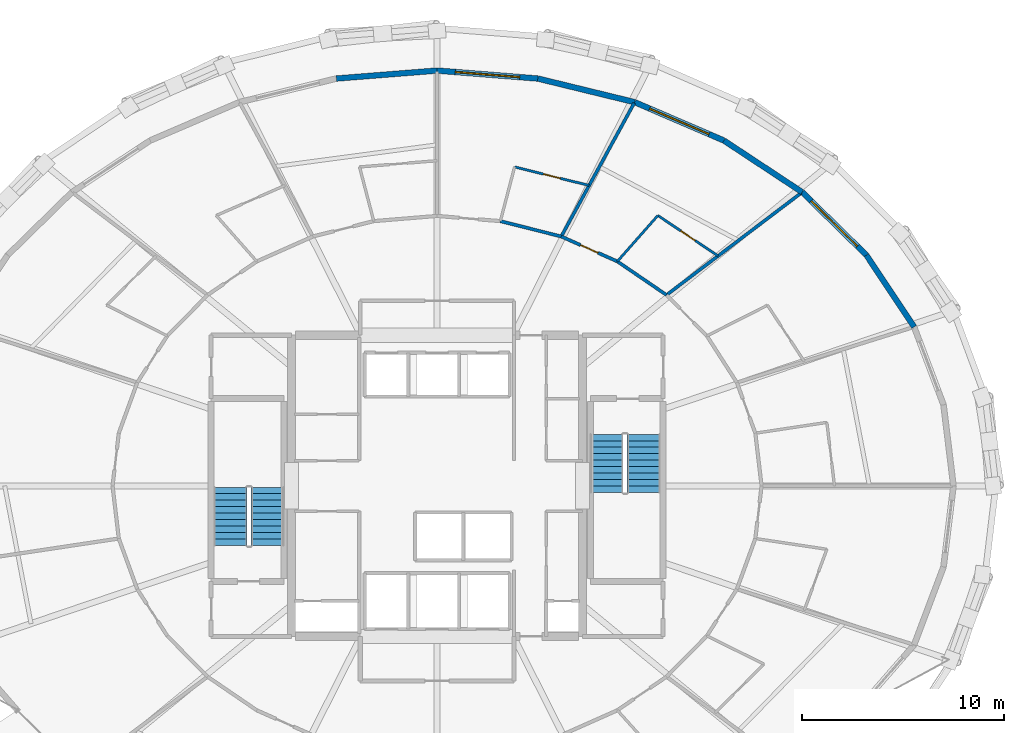
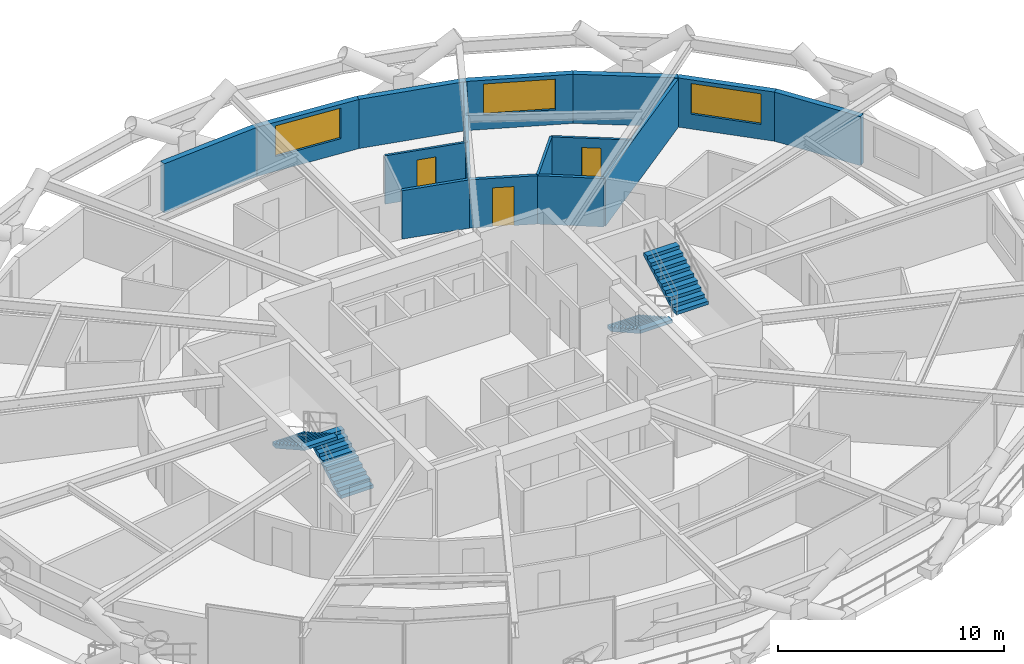
# One storey, part 15 of 17: 15 walls, 4 stair flights, 3 doors, 3 windows, 6 openings, 2 elements without a shape of their own.
"""IFC4 building model written with IfcOpenShell, lengths in metres."""

from ifc_helpers import new_model, si_unit, direction, frame, frame_2d, origin, place, context, subcontext, project, spatial, polyline, rectangle, outline, extrude, material, layer, layer_set, type_object, element, fill, aggregate, save


model = new_model("IFC4")

# Units and contexts
model_context = context("Model", 3, precision=1e-05, world=origin(), true_north=direction((0.0, 1.0)))
body_context = subcontext(model_context, "Body", "Model", "MODEL_VIEW")
ifc_project = project(units=[si_unit("LENGTHUNIT", "METRE"), si_unit("AREAUNIT", "SQUARE_METRE"), si_unit("VOLUMEUNIT", "CUBIC_METRE"), si_unit("PLANEANGLEUNIT", "RADIAN"), si_unit("MASSUNIT", "GRAM", prefix="KILO")], contexts=[model_context])

# Site, building, storey
site_placement = place(None, origin())
site = spatial("IfcSite", under=ifc_project, at=site_placement, CompositionType="ELEMENT")
building_placement = place(site_placement, origin())
building = spatial("IfcBuilding", under=site, at=building_placement, Name="Veldorina Hangang Commons", CompositionType="ELEMENT")
storey_placement = place(building_placement, frame((0.0, 0.0, 30.39990234375)))
storey = spatial("IfcBuildingStorey", under=building, at=storey_placement, Name="L06", CompositionType="ELEMENT", Elevation=30.39990234375)

# Wall
ifc_material_1 = material(Name="Stone Roman Travertine", Category="masonry")
ifc_layer_1 = layer(ifc_material_1, 0.280029296875)
ifc_layer_set_1 = layer_set([ifc_layer_1], Name="Stone Roman Travertine")
wall_type_1 = type_object("IfcWallType", Name="EW-TRAV-280", PredefinedType="STANDARD", material=ifc_layer_set_1)
wall_1_placement = place(storey_placement, frame((55.595947265625, 31.8603515625, 0.0), z_axis=(0.0, 0.0, 1.0), x_axis=(-0.55356334222, 0.832807076189, 0.0)))
element("IfcWall", 1, at=wall_1_placement, inside=storey, type_object=wall_type_1, Name="L06 travertine facade wall 02", PredefinedType="STANDARD", context=body_context, shape_type="SweptSolid", body=[
    extrude(rectangle(XDim=4.263916015625, YDim=0.280029296875, at=frame_2d((2.1318359375, 0.0))), origin(), (0.0, 0.0, 1.0), 2.650146484375),
])

# Wall, opening, window
wall_2_placement = place(storey_placement, frame((53.235595703125, 35.411376953125, 0.0), z_axis=(0.0, 0.0, 1.0), x_axis=(-0.714207899037, 0.699933623248, 0.0)))
wall_2 = element("IfcWall", 2, at=wall_2_placement, inside=storey, type_object=wall_type_1, Name="L06 travertine facade wall 03", PredefinedType="STANDARD", context=body_context, shape_type="SweptSolid", body=[
    extrude(rectangle(XDim=4.447021484375, YDim=0.280029296875, at=frame_2d((2.2236328125, 0.0))), origin(), (0.0, 0.0, 1.0), 2.650146484375),
])
opening_1_placement = place(wall_2_placement, frame((0.62353515625, 0.0, 0.800048828125)))
opening_1 = element("IfcOpeningElement", 3, at=opening_1_placement, cuts=wall_2, Name="Opening W-01", PredefinedType="OPENING", context=body_context, shape_type="SweptSolid", body=[
    extrude(rectangle(XDim=3.199951171875, YDim=1.64990234375, at=frame_2d((1.60009765625, 0.824951171875))), frame((0.0, 0.14990234375, 0.0), z_axis=(0.0, -1.0, 0.0), x_axis=(1.0, 0.0, 0.0)), (0.0, 0.0, 1.0), 0.300048828125),
])
ifc_material_2 = material(Name="Glass Low-E Triple IGU", Category="glass")
window_type = type_object("IfcWindowType", Name="WIN-TWR-3200", PartitioningType="SINGLE_PANEL", PredefinedType="WINDOW", material=ifc_material_2)
window_1_placement = place(opening_1_placement, origin())
window_1 = element("IfcWindow", 4, at=window_1_placement, inside=storey, type_object=window_type, Name="L06 facade window 03", OverallHeight=1.64990234375, OverallWidth=3.199951171875, PartitioningType="SINGLE_PANEL", PredefinedType="WINDOW", context=body_context, shape_type="SweptSolid", body=[
    extrude(rectangle(XDim=3.199951171875, YDim=1.64990234375, at=frame_2d((1.60009765625, 0.824951171875))), frame((0.0, 0.030029296875, 0.0), z_axis=(0.0, -1.0, 0.0), x_axis=(1.0, 0.0, 0.0)), (0.0, 0.0, 1.0), 0.06005859375),
])
fill(opening_1, window_1)

# Wall
wall_3_placement = place(storey_placement, frame((50.0595703125, 38.52392578125, 0.0), z_axis=(0.0, 0.0, 1.0), x_axis=(-0.834608922487, 0.550842941776, 0.0)))
element("IfcWall", 5, at=wall_3_placement, inside=storey, type_object=wall_type_1, Name="L06 travertine facade wall 04", PredefinedType="STANDARD", context=body_context, shape_type="SweptSolid", body=[
    extrude(rectangle(XDim=4.637451171875, YDim=0.280029296875, at=frame_2d((2.31884765625, 0.0))), origin(), (0.0, 0.0, 1.0), 2.650146484375),
])

# Wall, opening, window
wall_4_placement = place(storey_placement, frame((46.189208984375, 41.078369140625, 0.0), z_axis=(0.0, 0.0, 1.0), x_axis=(-0.918705683067, 0.394942866629, 0.0)))
wall_4 = element("IfcWall", 6, at=wall_4_placement, inside=storey, type_object=wall_type_1, Name="L06 travertine facade wall 05", PredefinedType="STANDARD", context=body_context, shape_type="SweptSolid", body=[
    extrude(rectangle(XDim=4.80615234375, YDim=0.280029296875, at=frame_2d((2.403076171875, 0.0))), origin(), (0.0, 0.0, 1.0), 2.650146484375),
])
opening_2_placement = place(wall_4_placement, frame((0.802978515625, 0.0, 0.800048828125)))
opening_2 = element("IfcOpeningElement", 7, at=opening_2_placement, cuts=wall_4, Name="Opening W-01", PredefinedType="OPENING", context=body_context, shape_type="SweptSolid", body=[
    extrude(rectangle(XDim=3.199951171875, YDim=1.64990234375, at=frame_2d((1.60009765625, 0.824951171875))), frame((0.0, 0.14990234375, 0.0), z_axis=(0.0, -1.0, 0.0), x_axis=(1.0, 0.0, 0.0)), (0.0, 0.0, 1.0), 0.300048828125),
])
window_2_placement = place(opening_2_placement, origin())
window_2 = element("IfcWindow", 8, at=window_2_placement, inside=storey, type_object=window_type, Name="L06 facade window 05", OverallHeight=1.64990234375, OverallWidth=3.199951171875, PartitioningType="SINGLE_PANEL", PredefinedType="WINDOW", context=body_context, shape_type="SweptSolid", body=[
    extrude(rectangle(XDim=3.199951171875, YDim=1.64990234375, at=frame_2d((1.60009765625, 0.824951171875))), frame((0.0, 0.030029296875, 0.0), z_axis=(0.0, -1.0, 0.0), x_axis=(1.0, 0.0, 0.0)), (0.0, 0.0, 1.0), 0.06005859375),
])
fill(opening_2, window_2)

# Wall
wall_5_placement = place(storey_placement, frame((41.773681640625, 42.9765625, 0.0), z_axis=(0.0, 0.0, 1.0), x_axis=(-0.97151283312, 0.236986951292, 0.0)))
element("IfcWall", 9, at=wall_5_placement, inside=storey, type_object=wall_type_1, Name="L06 travertine facade wall 06", PredefinedType="STANDARD", context=body_context, shape_type="SweptSolid", body=[
    extrude(rectangle(XDim=4.931396484375, YDim=0.280029296875, at=frame_2d((2.4658203125, 0.0))), origin(), (0.0, 0.0, 1.0), 2.650146484375),
])

# Wall, opening, window
wall_6_placement = place(storey_placement, frame((36.982666015625, 44.145263671875, 0.0), z_axis=(0.0, 0.0, 1.0), x_axis=(-0.996876023292, 0.078982239682, 0.0)))
wall_6 = element("IfcWall", 10, at=wall_6_placement, inside=storey, type_object=wall_type_1, Name="L06 travertine facade wall 07", PredefinedType="STANDARD", context=body_context, shape_type="SweptSolid", body=[
    extrude(rectangle(XDim=4.998291015625, YDim=0.280029296875, at=frame_2d((2.4990234375, 0.0))), origin(), (0.0, 0.0, 1.0), 2.650146484375),
])
opening_3_placement = place(wall_6_placement, frame((0.899169921875, 0.0, 0.800048828125)))
opening_3 = element("IfcOpeningElement", 11, at=opening_3_placement, cuts=wall_6, Name="Opening W-01", PredefinedType="OPENING", context=body_context, shape_type="SweptSolid", body=[
    extrude(rectangle(XDim=3.199951171875, YDim=1.64990234375, at=frame_2d((1.60009765625, 0.824951171875))), frame((0.0, 0.14990234375, 0.0), z_axis=(0.0, -1.0, 0.0), x_axis=(1.0, 0.0, 0.0)), (0.0, 0.0, 1.0), 0.300048828125),
])
window_3_placement = place(opening_3_placement, origin())
window_3 = element("IfcWindow", 12, at=window_3_placement, inside=storey, type_object=window_type, Name="L06 facade window 07", OverallHeight=1.64990234375, OverallWidth=3.199951171875, PartitioningType="SINGLE_PANEL", PredefinedType="WINDOW", context=body_context, shape_type="SweptSolid", body=[
    extrude(rectangle(XDim=3.199951171875, YDim=1.64990234375, at=frame_2d((1.60009765625, 0.824951171875))), frame((0.0, 0.030029296875, 0.0), z_axis=(0.0, -1.0, 0.0), x_axis=(1.0, 0.0, 0.0)), (0.0, 0.0, 1.0), 0.06005859375),
])
fill(opening_3, window_3)

# Walls
wall_7_placement = place(storey_placement, frame((32.0, 44.5400390625, 0.0), z_axis=(0.0, 0.0, 1.0), x_axis=(-0.996876023292, -0.078982239682, 0.0)))
element("IfcWall", 13, at=wall_7_placement, inside=storey, type_object=wall_type_1, Name="L06 travertine facade wall 08", PredefinedType="STANDARD", context=body_context, shape_type="SweptSolid", body=[
    extrude(rectangle(XDim=4.998291015625, YDim=0.280029296875, at=frame_2d((2.4990234375, 0.0))), origin(), (0.0, 0.0, 1.0), 2.650146484375),
])
ifc_material_3 = material(Name="Gypsum Fire-Rated Twin Stud Wall", Category="gypsum")
ifc_layer_2 = layer(ifc_material_3, 0.159912109375)
ifc_layer_set_2 = layer_set([ifc_layer_2], Name="Gypsum Fire-Rated Twin Stud Wall")
wall_type_2 = type_object("IfcWallType", Name="WL-FIRE-160", PredefinedType="SOLIDWALL", material=ifc_layer_set_2)
wall_8_placement = place(storey_placement, frame((43.34912109375, 33.43994140625, 0.0), z_axis=(0.0, 0.0, 1.0), x_axis=(-0.825929039072, 0.563774088104, 0.0)))
element("IfcWall", 14, at=wall_8_placement, inside=storey, type_object=wall_type_2, Name="L06 Corridor outer wall 04 051", PredefinedType="SOLIDWALL", context=body_context, shape_type="SweptSolid", body=[
    extrude(rectangle(XDim=2.94482421875, YDim=0.159912109375, at=frame_2d((1.472412109375, 0.0))), origin(), (0.0, 0.0, 1.0), 2.610107421875),
])

# Wall, opening, door
wall_9_placement = place(storey_placement, frame((40.9169921875, 35.10009765625, 0.0), z_axis=(0.0, 0.0, 1.0), x_axis=(-0.913768445178, 0.406235434936, 0.0)))
wall_9 = element("IfcWall", 15, at=wall_9_placement, inside=storey, type_object=wall_type_2, Name="L06 Corridor outer wall 05 052", PredefinedType="SOLIDWALL", context=body_context, shape_type="SweptSolid", body=[
    extrude(rectangle(XDim=3.036865234375, YDim=0.159912109375, at=frame_2d((1.5185546875, 0.0))), origin(), (0.0, 0.0, 1.0), 2.610107421875),
])
opening_4_placement = place(wall_9_placement, frame((1.04345703125, 0.0, 0.0)))
opening_4 = element("IfcOpeningElement", 16, at=opening_4_placement, cuts=wall_9, Name="Opening D-03", PredefinedType="OPENING", context=body_context, shape_type="SweptSolid", body=[
    extrude(rectangle(XDim=0.949951171875, YDim=2.10009765625, at=frame_2d((0.47509765625, 1.050048828125))), frame((0.0, 0.08984375, 0.0), z_axis=(0.0, -1.0, 0.0), x_axis=(1.0, 0.0, 0.0)), (0.0, 0.0, 1.0), 0.179931640625),
])
ifc_material_4 = material(Name="Timber Fire-Rated Entrance Core", Category="wood")
door_type_1 = type_object("IfcDoorType", Name="DR-UNIT-950", OperationType="SINGLE_SWING_RIGHT", PredefinedType="DOOR", material=ifc_material_4)
door_1_placement = place(opening_4_placement, origin())
door_1 = element("IfcDoor", 17, at=door_1_placement, inside=storey, type_object=door_type_1, Name="L06 Studio 7 entrance door 034", OperationType="SINGLE_SWING_RIGHT", OverallHeight=2.10009765625, OverallWidth=0.949951171875, PredefinedType="DOOR", context=body_context, shape_type="SweptSolid", body=[
    extrude(rectangle(XDim=0.949951171875, YDim=2.10009765625, at=frame_2d((0.47509765625, 1.050048828125))), frame((0.0, 0.02490234375, 0.0), z_axis=(0.0, -1.0, 0.0), x_axis=(1.0, 0.0, 0.0)), (0.0, 0.0, 1.0), 0.050048828125),
])
fill(opening_4, door_1)

# Walls
wall_10_placement = place(storey_placement, frame((38.14208984375, 36.333740234375, 0.0), z_axis=(0.0, 0.0, 1.0), x_axis=(-0.969608333194, 0.244662380029, 0.0)))
element("IfcWall", 18, at=wall_10_placement, inside=storey, type_object=wall_type_2, Name="L06 Corridor outer wall 06 053", PredefinedType="SOLIDWALL", context=body_context, shape_type="SweptSolid", body=[
    extrude(rectangle(XDim=3.10546875, YDim=0.159912109375, at=frame_2d((1.552734375, 0.0))), origin(), (0.0, 0.0, 1.0), 2.610107421875),
])
wall_11_placement = place(storey_placement, frame((43.34912109375, 33.43994140625, 0.0), z_axis=(0.0, 0.0, 1.0), x_axis=(0.797056829768, 0.603904305433, 0.0)))
element("IfcWall", 19, at=wall_11_placement, inside=storey, type_object=wall_type_2, Name="L06 Unit party wall 04 099", PredefinedType="SOLIDWALL", context=body_context, shape_type="SweptSolid", body=[
    extrude(rectangle(XDim=8.368896484375, YDim=0.159912109375, at=frame_2d((4.1845703125, 0.0))), origin(), (0.0, 0.0, 1.0), 2.610107421875),
])
wall_12_placement = place(storey_placement, frame((38.14208984375, 36.333740234375, 0.0), z_axis=(0.0, 0.0, 1.0), x_axis=(0.479700277593, 0.877432415447, 0.0)))
element("IfcWall", 20, at=wall_12_placement, inside=storey, type_object=wall_type_2, Name="L06 Unit party wall 06 102", PredefinedType="SOLIDWALL", context=body_context, shape_type="SweptSolid", body=[
    extrude(rectangle(XDim=7.520751953125, YDim=0.159912109375, at=frame_2d((3.76025390625, 0.0))), origin(), (0.0, 0.0, 1.0), 2.610107421875),
])

# Wall, opening, door
ifc_material_5 = material(Name="Gypsum Acoustic Stud Partition", Category="gypsum")
ifc_layer_3 = layer(ifc_material_5, 0.1201171875)
ifc_layer_set_3 = layer_set([ifc_layer_3], Name="Gypsum Acoustic Stud Partition")
wall_type_3 = type_object("IfcWallType", Name="WL-PART-120", PredefinedType="PARTITIONING", material=ifc_layer_set_3)
wall_13_placement = place(storey_placement, frame((45.899169921875, 35.371826171875, 0.0), z_axis=(0.0, 0.0, 1.0), x_axis=(-0.830224279985, 0.557429497716, 0.0)))
wall_13 = element("IfcWall", 21, at=wall_13_placement, inside=storey, type_object=wall_type_3, Name="L06 Studio 7 bath front wall 100", PredefinedType="PARTITIONING", context=body_context, shape_type="SweptSolid", body=[
    extrude(rectangle(XDim=3.587890625, YDim=0.1201171875, at=frame_2d((1.7939453125, 0.0))), origin(), (0.0, 0.0, 1.0), 2.610107421875),
])
opening_5_placement = place(wall_13_placement, frame((1.364013671875, 0.0, 0.0)))
opening_5 = element("IfcOpeningElement", 22, at=opening_5_placement, cuts=wall_13, Name="Opening D-01", PredefinedType="OPENING", context=body_context, shape_type="SweptSolid", body=[
    extrude(rectangle(XDim=0.860107421875, YDim=2.10009765625, at=frame_2d((0.43017578125, 1.050048828125))), frame((0.0, 0.070068359375, 0.0), z_axis=(0.0, -1.0, 0.0), x_axis=(1.0, 0.0, 0.0)), (0.0, 0.0, 1.0), 0.14013671875),
])
ifc_material_6 = material(Name="Timber Moisture-Resistant Core", Category="wood")
door_type_2 = type_object("IfcDoorType", Name="DR-WET-860", OperationType="SINGLE_SWING_LEFT", PredefinedType="DOOR", material=ifc_material_6)
door_2_placement = place(opening_5_placement, origin())
door_2 = element("IfcDoor", 23, at=door_2_placement, inside=storey, type_object=door_type_2, Name="L06 Studio 7 bathroom door 033", OperationType="SINGLE_SWING_LEFT", OverallHeight=2.10009765625, OverallWidth=0.860107421875, PredefinedType="DOOR", context=body_context, shape_type="SweptSolid", body=[
    extrude(rectangle(XDim=0.860107421875, YDim=2.10009765625, at=frame_2d((0.43017578125, 1.050048828125))), frame((0.0, 0.02490234375, 0.0), z_axis=(0.0, -1.0, 0.0), x_axis=(1.0, 0.0, 0.0)), (0.0, 0.0, 1.0), 0.050048828125),
])
fill(opening_5, door_2)

# Wall
wall_14_placement = place(storey_placement, frame((40.9169921875, 35.10009765625, 0.0), z_axis=(0.0, 0.0, 1.0), x_axis=(0.661427007528, 0.750009542414, 0.0)))
element("IfcWall", 24, at=wall_14_placement, inside=storey, type_object=wall_type_3, Name="L06 Studio 7 bath side wall 101", PredefinedType="PARTITIONING", context=body_context, shape_type="SweptSolid", body=[
    extrude(rectangle(XDim=3.029052734375, YDim=0.1201171875, at=frame_2d((1.5146484375, 0.0))), origin(), (0.0, 0.0, 1.0), 2.610107421875),
])

# Wall, opening, door
wall_15_placement = place(storey_placement, frame((39.522216796875, 38.85791015625, 0.0), z_axis=(0.0, 0.0, 1.0), x_axis=(-0.970549351757, 0.240902378161, 0.0)))
wall_15 = element("IfcWall", 25, at=wall_15_placement, inside=storey, type_object=wall_type_3, Name="L06 Studio 8 bath front wall 103", PredefinedType="PARTITIONING", context=body_context, shape_type="SweptSolid", body=[
    extrude(rectangle(XDim=3.79931640625, YDim=0.1201171875, at=frame_2d((1.899658203125, 0.0))), origin(), (0.0, 0.0, 1.0), 2.610107421875),
])
opening_6_placement = place(wall_15_placement, frame((1.4697265625, 0.0, 0.0)))
opening_6 = element("IfcOpeningElement", 26, at=opening_6_placement, cuts=wall_15, Name="Opening D-01", PredefinedType="OPENING", context=body_context, shape_type="SweptSolid", body=[
    extrude(rectangle(XDim=0.860107421875, YDim=2.10009765625, at=frame_2d((0.43017578125, 1.050048828125))), frame((0.0, 0.070068359375, 0.0), z_axis=(0.0, -1.0, 0.0), x_axis=(1.0, 0.0, 0.0)), (0.0, 0.0, 1.0), 0.14013671875),
])
door_3_placement = place(opening_6_placement, origin())
door_3 = element("IfcDoor", 27, at=door_3_placement, inside=storey, type_object=door_type_2, Name="L06 Studio 8 bathroom door 035", OperationType="SINGLE_SWING_LEFT", OverallHeight=2.10009765625, OverallWidth=0.860107421875, PredefinedType="DOOR", context=body_context, shape_type="SweptSolid", body=[
    extrude(rectangle(XDim=0.860107421875, YDim=2.10009765625, at=frame_2d((0.43017578125, 1.050048828125))), frame((0.0, 0.02490234375, 0.0), z_axis=(0.0, -1.0, 0.0), x_axis=(1.0, 0.0, 0.0)), (0.0, 0.0, 1.0), 0.050048828125),
])
fill(opening_6, door_3)

# Stair, stair flights
ifc_material_7 = material(Name="Concrete C40/50", Category="concrete")
stair_type = type_object("IfcStairType", Name="STR-DOG-1650-20R", PredefinedType="HALF_TURN_STAIR", material=ifc_material_7)
stair_1_placement = place(storey_placement, origin())
stair_1 = element("IfcStair", 28, at=stair_1_placement, inside=storey, type_object=stair_type, Name="L06 Exit stair ST-1", PredefinedType="HALF_TURN_STAIR")
stair_flight_type = type_object("IfcStairFlightType", Name="SFL-STR-1650-20R", PredefinedType="STRAIGHT", material=ifc_material_7)
stair_flight_1_placement = place(storey_placement, frame((23.625, 21.050048828125, 0.0), z_axis=(0.0, 0.0, 1.0), x_axis=(0.0, 1.0, 0.0)))
stair_flight_1 = element("IfcStairFlight", 29, at=stair_flight_1_placement, type_object=stair_flight_type, Name="ST-1 flight 1", NumberOfRisers=10, NumberOfTreads=9, PredefinedType="STRAIGHT", RiserHeight=0.18, TreadLength=0.32, context=body_context, shape_type="SweptSolid", body=[
    extrude(outline(polyline([(0.0, 0.0), (0.0, 0.179931640625), (0.320068359375, 0.179931640625), (0.320068359375, 0.360107421875), (0.639892578125, 0.360107421875), (0.639892578125, 0.5400390625), (0.9599609375, 0.5400390625), (0.9599609375, 0.719970703125), (1.280029296875, 0.719970703125), (1.280029296875, 0.89990234375), (1.60009765625, 0.89990234375), (1.60009765625, 1.080078125), (1.919921875, 1.080078125), (1.919921875, 1.260009765625), (2.239990234375, 1.260009765625), (2.239990234375, 1.43994140625), (2.56005859375, 1.43994140625), (2.56005859375, 1.6201171875), (2.8798828125, 1.6201171875), (2.8798828125, 1.800048828125), (2.8798828125, 1.447998046875), (0.3056640625, 0.0), (0.0, 0.0)])), frame((0.0, 0.824951171875, 0.0), z_axis=(0.0, -1.0, 0.0), x_axis=(1.0, 0.0, 0.0)), (0.0, 0.0, 1.0), 1.64990234375),
])
stair_flight_2_placement = place(storey_placement, frame((21.77490234375, 23.929931640625, 1.800048828125), z_axis=(0.0, 0.0, 1.0), x_axis=(0.0, -1.0, 0.0)))
stair_flight_2 = element("IfcStairFlight", 30, at=stair_flight_2_placement, type_object=stair_flight_type, Name="ST-1 flight 2", NumberOfRisers=10, NumberOfTreads=9, PredefinedType="STRAIGHT", RiserHeight=0.18, TreadLength=0.32, context=body_context, shape_type="SweptSolid", body=[
    extrude(outline(polyline([(0.0, 0.0), (0.0, 0.179931640625), (0.320068359375, 0.179931640625), (0.320068359375, 0.360107421875), (0.639892578125, 0.360107421875), (0.639892578125, 0.5400390625), (0.9599609375, 0.5400390625), (0.9599609375, 0.719970703125), (1.280029296875, 0.719970703125), (1.280029296875, 0.89990234375), (1.60009765625, 0.89990234375), (1.60009765625, 1.080078125), (1.919921875, 1.080078125), (1.919921875, 1.260009765625), (2.239990234375, 1.260009765625), (2.239990234375, 1.43994140625), (2.56005859375, 1.43994140625), (2.56005859375, 1.6201171875), (2.8798828125, 1.6201171875), (2.8798828125, 1.800048828125), (2.8798828125, 1.447998046875), (0.3056640625, 0.0), (0.0, 0.0)])), frame((0.0, 0.824951171875, 0.0), z_axis=(0.0, -1.0, 0.0), x_axis=(1.0, 0.0, 0.0)), (0.0, 0.0, 1.0), 1.64990234375),
])
aggregate(stair_1, [stair_flight_1, stair_flight_2])

stair_2_placement = place(storey_placement, origin())
stair_2 = element("IfcStair", 31, at=stair_2_placement, inside=storey, type_object=stair_type, Name="L06 Exit stair ST-2", PredefinedType="HALF_TURN_STAIR")
stair_flight_3_placement = place(storey_placement, frame((40.375, 26.550048828125, 0.0), z_axis=(0.0, 0.0, 1.0), x_axis=(0.0, -1.0, 0.0)))
stair_flight_3 = element("IfcStairFlight", 32, at=stair_flight_3_placement, type_object=stair_flight_type, Name="ST-2 flight 1", NumberOfRisers=10, NumberOfTreads=9, PredefinedType="STRAIGHT", RiserHeight=0.18, TreadLength=0.32, context=body_context, shape_type="SweptSolid", body=[
    extrude(outline(polyline([(0.0, 0.0), (0.0, 0.179931640625), (0.320068359375, 0.179931640625), (0.320068359375, 0.360107421875), (0.639892578125, 0.360107421875), (0.639892578125, 0.5400390625), (0.9599609375, 0.5400390625), (0.9599609375, 0.719970703125), (1.280029296875, 0.719970703125), (1.280029296875, 0.89990234375), (1.60009765625, 0.89990234375), (1.60009765625, 1.080078125), (1.919921875, 1.080078125), (1.919921875, 1.260009765625), (2.239990234375, 1.260009765625), (2.239990234375, 1.43994140625), (2.56005859375, 1.43994140625), (2.56005859375, 1.6201171875), (2.8798828125, 1.6201171875), (2.8798828125, 1.800048828125), (2.8798828125, 1.447998046875), (0.3056640625, 0.0), (0.0, 0.0)])), frame((0.0, 0.824951171875, 0.0), z_axis=(0.0, -1.0, 0.0), x_axis=(1.0, 0.0, 0.0)), (0.0, 0.0, 1.0), 1.64990234375),
])
stair_flight_4_placement = place(storey_placement, frame((42.22509765625, 23.669921875, 1.800048828125), z_axis=(0.0, 0.0, 1.0), x_axis=(0.0, 1.0, 0.0)))
stair_flight_4 = element("IfcStairFlight", 33, at=stair_flight_4_placement, type_object=stair_flight_type, Name="ST-2 flight 2", NumberOfRisers=10, NumberOfTreads=9, PredefinedType="STRAIGHT", RiserHeight=0.18, TreadLength=0.32, context=body_context, shape_type="SweptSolid", body=[
    extrude(outline(polyline([(0.0, 0.0), (0.0, 0.179931640625), (0.320068359375, 0.179931640625), (0.320068359375, 0.360107421875), (0.639892578125, 0.360107421875), (0.639892578125, 0.5400390625), (0.9599609375, 0.5400390625), (0.9599609375, 0.719970703125), (1.280029296875, 0.719970703125), (1.280029296875, 0.89990234375), (1.60009765625, 0.89990234375), (1.60009765625, 1.080078125), (1.919921875, 1.080078125), (1.919921875, 1.260009765625), (2.239990234375, 1.260009765625), (2.239990234375, 1.43994140625), (2.56005859375, 1.43994140625), (2.56005859375, 1.6201171875), (2.8798828125, 1.6201171875), (2.8798828125, 1.800048828125), (2.8798828125, 1.447998046875), (0.3056640625, 0.0), (0.0, 0.0)])), frame((0.0, 0.824951171875, 0.0), z_axis=(0.0, -1.0, 0.0), x_axis=(1.0, 0.0, 0.0)), (0.0, 0.0, 1.0), 1.64990234375),
])
aggregate(stair_2, [stair_flight_3, stair_flight_4])

save(model, "model.ifc")
